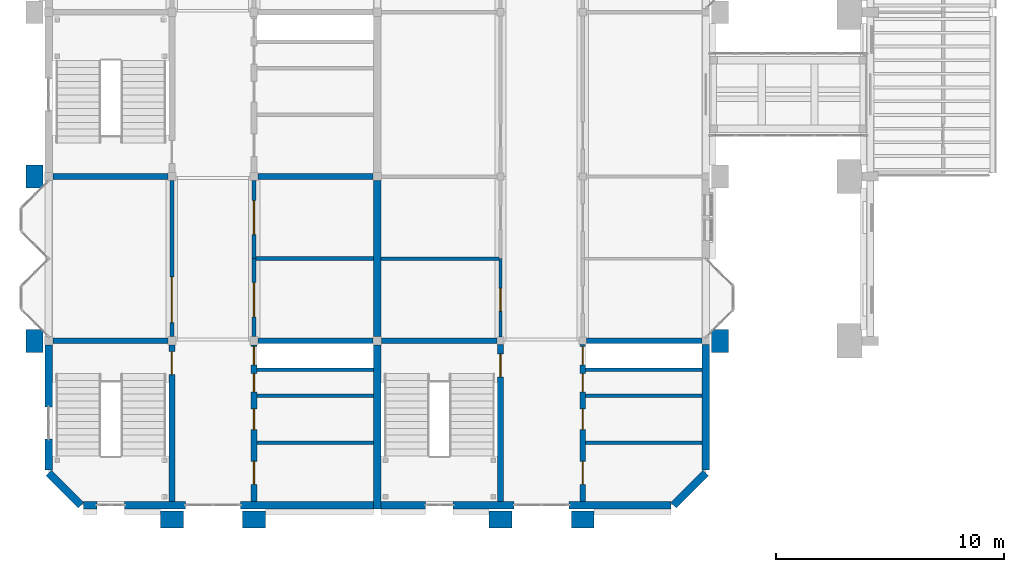
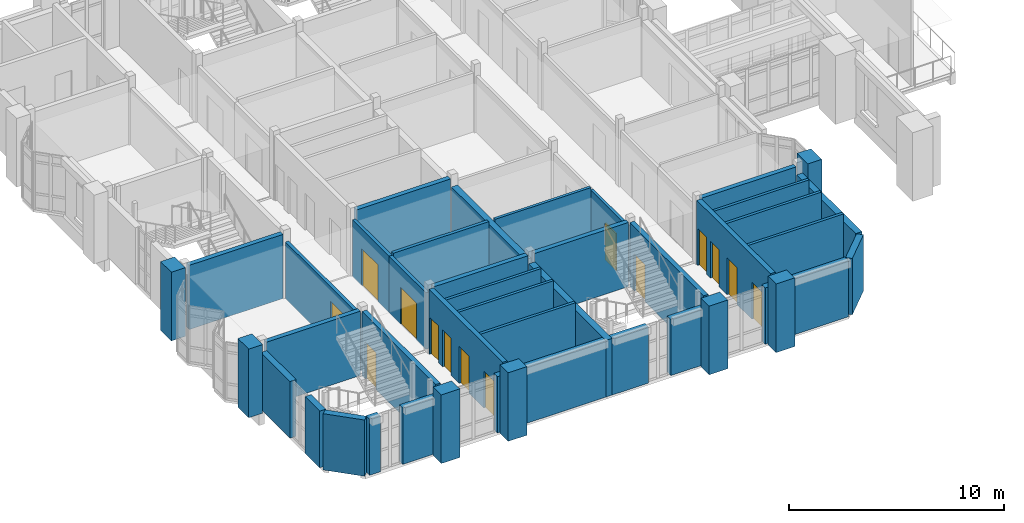
# One storey, part 39 of 69: 42 walls, 14 doors, 14 openings.
"""IFC4 building model written with IfcOpenShell, lengths in metres."""

from ifc_helpers import new_model, si_unit, direction, frame, frame_2d, origin, place, context, subcontext, project, spatial, rectangle, extrude, material, layer, layer_set, type_object, element, fill, save


model = new_model("IFC4")

# Units and contexts
model_context = context("Model", 3, precision=1e-05, world=origin(), true_north=direction((0.0, 1.0)))
body_context = subcontext(model_context, "Body", "Model", "MODEL_VIEW")
ifc_project = project(units=[si_unit("LENGTHUNIT", "METRE"), si_unit("AREAUNIT", "SQUARE_METRE"), si_unit("VOLUMEUNIT", "CUBIC_METRE"), si_unit("PLANEANGLEUNIT", "RADIAN"), si_unit("MASSUNIT", "GRAM", prefix="KILO")], contexts=[model_context])

# Site, building, storey
site_placement = place(None, origin())
site = spatial("IfcSite", under=ifc_project, at=site_placement, CompositionType="ELEMENT")
building_placement = place(site_placement, origin())
building = spatial("IfcBuilding", under=site, at=building_placement, Name="Mazhai Court Health Centre", CompositionType="ELEMENT")
storey_placement = place(building_placement, frame((0.0, 0.0, 6.300048828125)))
storey = spatial("IfcBuildingStorey", under=building, at=storey_placement, Name="L01", CompositionType="ELEMENT", Elevation=6.300048828125)

# Walls
ifc_material_1 = material(Name="Clay brick masonry", Category="masonry")
ifc_layer_1 = layer(ifc_material_1, 0.75)
ifc_layer_set_1 = layer_set([ifc_layer_1], Name="BRICK PIER 750")
wall_type_1 = type_object("IfcWallType", Name="BRICK PIER 750", PredefinedType="SOLIDWALL", material=ifc_layer_set_1)
for number, where, z_axis, x_axis, name in (
    (1, (5.574951171875, 12.89990234375, 0.0), (0.0, 0.0, 1.0), (0.0, 1.0, 0.0), "EP-V2-L01-A1"),
    (2, (5.574951171875, 20.10009765625, 0.0), (0.0, 0.0, 1.0), (0.0, 1.0, 0.0), "EP-V2-L01-A2"),
    (3, (12.10009765625, 5.574951171875, 0.0), (0.0, 0.0, 1.0), (-1.0, 0.0, 0.0), "EP-V2-L01-S54"),
    (4, (15.699951171875, 5.574951171875, 0.0), (0.0, 0.0, 1.0), (-1.0, 0.0, 0.0), "EP-V2-L01-S90"),
    (5, (35.625, 13.89990234375, 0.0), (0.0, 0.0, 1.0), (0.0, -1.0, 0.0), "EP-V5-L01-B1"),
    (6, (26.5, 5.574951171875, 0.0), (0.0, 0.0, 1.0), (-1.0, 0.0, 0.0), "EP-V5-L01-S54"),
    (7, (30.10009765625, 5.574951171875, 0.0), (0.0, 0.0, 1.0), (-1.0, 0.0, 0.0), "EP-V5-L01-S90"),
):
    element("IfcWall", number, at=place(storey_placement, frame(where, z_axis=z_axis, x_axis=x_axis)), inside=storey, type_object=wall_type_1, Name=name, PredefinedType="SOLIDWALL", context=body_context, shape_type="SweptSolid", body=[
        extrude(rectangle(XDim=1.0, YDim=0.75, at=frame_2d((0.5, 0.0))), origin(), (0.0, 0.0, 1.0), 3.89990234375),
    ])
ifc_material_2 = material(Name="Clay brick masonry", Category="masonry")
ifc_layer_2 = layer(ifc_material_2, 0.330078125)
ifc_layer_set_2 = layer_set([ifc_layer_2], Name="BRICK WALL 330 EXTERNAL")
wall_type_2 = type_object("IfcWallType", Name="BRICK WALL 330 EXTERNAL", PredefinedType="SOLIDWALL", material=ifc_layer_set_2)
wall_1_placement = place(storey_placement, frame((6.199951171875, 7.73095703125, 0.0), z_axis=(0.0, 0.0, 1.0), x_axis=(0.0, 1.0, 0.0)))
element("IfcWall", 8, at=wall_1_placement, inside=storey, type_object=wall_type_2, Name="EW-V2-L01-A0a", PredefinedType="SOLIDWALL", context=body_context, shape_type="SweptSolid", body=[
    extrude(rectangle(XDim=1.369140625, YDim=0.330078125, at=frame_2d((0.6845703125, 0.0))), origin(), (0.0, 0.0, 1.0), 3.219970703125),
])
wall_2_placement = place(storey_placement, frame((6.199951171875, 10.5, 0.0), z_axis=(0.0, 0.0, 1.0), x_axis=(0.0, 1.0, 0.0)))
element("IfcWall", 9, at=wall_2_placement, inside=storey, type_object=wall_type_2, Name="EW-V2-L01-A0b", PredefinedType="SOLIDWALL", context=body_context, shape_type="SweptSolid", body=[
    extrude(rectangle(XDim=2.719970703125, YDim=0.330078125, at=frame_2d((1.35986328125, 0.0))), origin(), (0.0, 0.0, 1.0), 3.219970703125),
])
wall_3_placement = place(storey_placement, frame((8.320068359375, 6.199951171875, 0.0), z_axis=(0.0, 0.0, 1.0), x_axis=(-1.0, 0.0, 0.0)))
element("IfcWall", 10, at=wall_3_placement, inside=storey, type_object=wall_type_2, Name="EW-V2-L01-Sp0", PredefinedType="SOLIDWALL", context=body_context, shape_type="SweptSolid", body=[
    extrude(rectangle(XDim=0.589111328125, YDim=0.330078125, at=frame_2d((0.29443359375, 0.0))), origin(), (0.0, 0.0, 1.0), 3.199951171875),
])
wall_4_placement = place(storey_placement, frame((12.199951171875, 6.199951171875, 0.0), z_axis=(0.0, 0.0, 1.0), x_axis=(-1.0, 0.0, 0.0)))
element("IfcWall", 11, at=wall_4_placement, inside=storey, type_object=wall_type_2, Name="EW-V2-L01-Sp1", PredefinedType="SOLIDWALL", context=body_context, shape_type="SweptSolid", body=[
    extrude(rectangle(XDim=2.679931640625, YDim=0.330078125, at=frame_2d((1.33984375, 0.0))), origin(), (0.0, 0.0, 1.0), 3.199951171875),
])
wall_5_placement = place(storey_placement, frame((20.43505859375, 6.199951171875, 0.0), z_axis=(0.0, 0.0, 1.0), x_axis=(-1.0, 0.0, 0.0)))
element("IfcWall", 12, at=wall_5_placement, inside=storey, type_object=wall_type_2, Name="EW-V2-L01-Sp2", PredefinedType="SOLIDWALL", context=body_context, shape_type="SweptSolid", body=[
    extrude(rectangle(XDim=5.8349609375, YDim=0.330078125, at=frame_2d((2.91748046875, 0.0))), origin(), (0.0, 0.0, 1.0), 3.199951171875),
])
wall_6_placement = place(storey_placement, frame((6.199951171875, 7.614013671875, 0.0), z_axis=(0.0, 0.0, 1.0), x_axis=(0.707106781187, -0.707106781187, 0.0)))
element("IfcWall", 13, at=wall_6_placement, inside=storey, type_object=wall_type_2, Name="EW-V2-L01-CHA", PredefinedType="SOLIDWALL", context=body_context, shape_type="SweptSolid", body=[
    extrude(rectangle(XDim=1.999755859375, YDim=0.330078125, at=frame_2d((1.0, 0.0))), origin(), (0.0, 0.0, 1.0), 3.199951171875),
])
wall_7_placement = place(storey_placement, frame((35.0, 13.239990234375, 0.0), z_axis=(0.0, 0.0, 1.0), x_axis=(0.0, -1.0, 0.0)))
element("IfcWall", 14, at=wall_7_placement, inside=storey, type_object=wall_type_2, Name="EW-V5-L01-B0", PredefinedType="SOLIDWALL", context=body_context, shape_type="SweptSolid", body=[
    extrude(rectangle(XDim=5.509033203125, YDim=0.330078125, at=frame_2d((2.75439453125, 0.0))), origin(), (0.0, 0.0, 1.0), 3.219970703125),
])
wall_8_placement = place(storey_placement, frame((22.719970703125, 6.199951171875, 0.0), z_axis=(0.0, 0.0, 1.0), x_axis=(-1.0, 0.0, 0.0)))
element("IfcWall", 15, at=wall_8_placement, inside=storey, type_object=wall_type_2, Name="EW-V5-L01-Sp0", PredefinedType="SOLIDWALL", context=body_context, shape_type="SweptSolid", body=[
    extrude(rectangle(XDim=1.955078125, YDim=0.330078125, at=frame_2d((0.9775390625, 0.0))), origin(), (0.0, 0.0, 1.0), 3.199951171875),
])
wall_9_placement = place(storey_placement, frame((26.60009765625, 6.199951171875, 0.0), z_axis=(0.0, 0.0, 1.0), x_axis=(-1.0, 0.0, 0.0)))
element("IfcWall", 16, at=wall_9_placement, inside=storey, type_object=wall_type_2, Name="EW-V5-L01-Sp1", PredefinedType="SOLIDWALL", context=body_context, shape_type="SweptSolid", body=[
    extrude(rectangle(XDim=2.68017578125, YDim=0.330078125, at=frame_2d((1.340087890625, 0.0))), origin(), (0.0, 0.0, 1.0), 3.199951171875),
])
wall_10_placement = place(storey_placement, frame((33.468994140625, 6.199951171875, 0.0), z_axis=(0.0, 0.0, 1.0), x_axis=(-1.0, 0.0, 0.0)))
element("IfcWall", 17, at=wall_10_placement, inside=storey, type_object=wall_type_2, Name="EW-V5-L01-Sp2", PredefinedType="SOLIDWALL", context=body_context, shape_type="SweptSolid", body=[
    extrude(rectangle(XDim=4.468994140625, YDim=0.330078125, at=frame_2d((2.234375, 0.0))), origin(), (0.0, 0.0, 1.0), 3.199951171875),
])
wall_11_placement = place(storey_placement, frame((35.0, 7.614013671875, 0.0), z_axis=(0.0, 0.0, 1.0), x_axis=(-0.707106781187, -0.707106781187, 0.0)))
element("IfcWall", 18, at=wall_11_placement, inside=storey, type_object=wall_type_2, Name="EW-V5-L01-CHB", PredefinedType="SOLIDWALL", context=body_context, shape_type="SweptSolid", body=[
    extrude(rectangle(XDim=1.999755859375, YDim=0.330078125, at=frame_2d((1.0, 0.0))), origin(), (0.0, 0.0, 1.0), 3.199951171875),
])
ifc_material_3 = material(Name="Clay brick masonry", Category="masonry")
ifc_layer_3 = layer(ifc_material_3, 0.330078125)
ifc_layer_set_3 = layer_set([ifc_layer_3], Name="BRICK WALL 330 INTERNAL")
wall_type_3 = type_object("IfcWallType", Name="BRICK WALL 330 INTERNAL", PredefinedType="SOLIDWALL", material=ifc_layer_set_3)
wall_12_placement = place(storey_placement, frame((20.60009765625, 13.219970703125, 0.0), z_axis=(0.0, 0.0, 1.0), x_axis=(0.0, -1.0, 0.0)))
element("IfcWall", 19, at=wall_12_placement, inside=storey, type_object=wall_type_3, Name="EW-V2-L01-B0", PredefinedType="SOLIDWALL", context=body_context, shape_type="SweptSolid", body=[
    extrude(rectangle(XDim=7.18505859375, YDim=0.330078125, at=frame_2d((3.592529296875, 0.0))), origin(), (0.0, 0.0, 1.0), 3.219970703125),
])
wall_13_placement = place(storey_placement, frame((20.60009765625, 20.419921875, 0.0), z_axis=(0.0, 0.0, 1.0), x_axis=(0.0, -1.0, 0.0)))
element("IfcWall", 20, at=wall_13_placement, inside=storey, type_object=wall_type_3, Name="EW-V2-L01-B1", PredefinedType="SOLIDWALL", context=body_context, shape_type="SweptSolid", body=[
    extrude(rectangle(XDim=6.83984375, YDim=0.330078125, at=frame_2d((3.419921875, 0.0))), origin(), (0.0, 0.0, 1.0), 3.219970703125),
])

# Wall, opening, door
ifc_material_4 = material(Name="Gypsum plasterboard partition")
ifc_layer_4 = layer(ifc_material_4, 0.14990234375)
ifc_layer_set_4 = layer_set([ifc_layer_4], Name="PARTITION 150 CORRIDOR EI60")
wall_type_4 = type_object("IfcWallType", Name="PARTITION 150 CORRIDOR EI60", PredefinedType="PARTITIONING", material=ifc_layer_set_4)
wall_14_placement = place(storey_placement, frame((26.0, 13.56005859375, 0.0), z_axis=(0.0, 0.0, 1.0), x_axis=(0.0, 1.0, 0.0)))
wall_14 = element("IfcWall", 21, at=wall_14_placement, inside=storey, type_object=wall_type_4, Name="wall-V5-L01-A0-corr-0a", PredefinedType="PARTITIONING", context=body_context, shape_type="SweptSolid", body=[
    extrude(rectangle(XDim=3.43994140625, YDim=0.14990234375, at=frame_2d((1.719970703125, 0.0))), origin(), (0.0, 0.0, 1.0), 3.219970703125),
])
opening_1_placement = place(wall_14_placement, frame((1.139892578125, 0.0, 0.0)))
opening_1 = element("IfcOpeningElement", 22, at=opening_1_placement, cuts=wall_14, Name="Opening D-L01-020", PredefinedType="OPENING", context=body_context, shape_type="SweptSolid", body=[
    extrude(rectangle(XDim=1.0, YDim=2.10009765625, at=frame_2d((0.5, 1.050048828125))), frame((0.0, 0.0849609375, 0.0), z_axis=(0.0, -1.0, 0.0), x_axis=(1.0, 0.0, 0.0)), (0.0, 0.0, 1.0), 0.169921875),
])
ifc_material_5 = material(Name="Hardwood door leaf", Category="wood")
door_type_1 = type_object("IfcDoorType", Name="DOOR 1000x2100 FD30S SINGLE", OperationType="NOTDEFINED", PredefinedType="DOOR", material=ifc_material_5)
door_1_placement = place(opening_1_placement, origin())
door_1 = element("IfcDoor", 23, at=door_1_placement, inside=storey, type_object=door_type_1, Name="door-V5-L01-A0-phlebotomy-room", OperationType="SINGLE_SWING_LEFT", OverallHeight=2.10009765625, OverallWidth=1.0, PredefinedType="DOOR", context=body_context, shape_type="SweptSolid", body=[
    extrude(rectangle(XDim=1.0, YDim=2.10009765625, at=frame_2d((0.5, 1.050048828125))), frame((0.0, 0.02490234375, 0.0), z_axis=(0.0, -1.0, 0.0), x_axis=(1.0, 0.0, 0.0)), (0.0, 0.0, 1.0), 0.050048828125),
])
fill(opening_1, door_1)

# Wall
ifc_material_6 = material(Name="Gypsum plasterboard partition")
ifc_layer_5 = layer(ifc_material_6, 0.14990234375)
ifc_layer_set_5 = layer_set([ifc_layer_5], Name="PARTITION 150 WET AREA EI30")
wall_type_5 = type_object("IfcWallType", Name="PARTITION 150 WET AREA EI30", PredefinedType="PARTITIONING", material=ifc_layer_set_5)
wall_15_placement = place(storey_placement, frame((20.764892578125, 17.0, 0.0), z_axis=(0.0, 0.0, 1.0), x_axis=(1.0, 0.0, 0.0)))
element("IfcWall", 24, at=wall_15_placement, inside=storey, type_object=wall_type_5, Name="wall-V5-L01-A0-cross-1a", PredefinedType="PARTITIONING", context=body_context, shape_type="SweptSolid", body=[
    extrude(rectangle(XDim=5.16015625, YDim=0.14990234375, at=frame_2d((2.580078125, 0.0))), origin(), (0.0, 0.0, 1.0), 3.3798828125),
])

# Wall, opening, door
ifc_material_7 = material(Name="Gypsum plasterboard partition")
ifc_layer_6 = layer(ifc_material_7, 0.175048828125)
ifc_layer_set_6 = layer_set([ifc_layer_6], Name="PARTITION 175 FIRE EI60")
wall_type_6 = type_object("IfcWallType", Name="PARTITION 175 FIRE EI60", PredefinedType="PARTITIONING", material=ifc_layer_set_6)
wall_16_placement = place(storey_placement, frame((11.60009765625, 13.580078125, 0.0), z_axis=(0.0, 0.0, 1.0), x_axis=(0.0, 1.0, 0.0)))
wall_16 = element("IfcWall", 25, at=wall_16_placement, inside=storey, type_object=wall_type_6, Name="wall-V2-L01-A0-corr-0a", PredefinedType="PARTITIONING", context=body_context, shape_type="SweptSolid", body=[
    extrude(rectangle(XDim=6.83984375, YDim=0.175048828125, at=frame_2d((3.419921875, 0.0))), origin(), (0.0, 0.0, 1.0), 3.219970703125),
])
opening_2_placement = place(wall_16_placement, frame((0.6201171875, 0.0, 0.0)))
opening_2 = element("IfcOpeningElement", 26, at=opening_2_placement, cuts=wall_16, Name="Opening D-L01-002", PredefinedType="OPENING", context=body_context, shape_type="SweptSolid", body=[
    extrude(rectangle(XDim=2.0, YDim=2.39990234375, at=frame_2d((1.0, 1.199951171875))), frame((0.0, 0.097412109375, 0.0), z_axis=(0.0, -1.0, 0.0), x_axis=(1.0, 0.0, 0.0)), (0.0, 0.0, 1.0), 0.195068359375),
])
ifc_material_8 = material(Name="Hardwood door leaf", Category="wood")
door_type_2 = type_object("IfcDoorType", Name="DOOR 2000x2400 FD60 THEATRE DOUBLE", OperationType="NOTDEFINED", PredefinedType="DOOR", material=ifc_material_8)
door_2_placement = place(opening_2_placement, origin())
door_2 = element("IfcDoor", 27, at=door_2_placement, inside=storey, type_object=door_type_2, Name="door-V2-L01-A0-operating-theatre-1", OperationType="DOUBLE_DOOR_SINGLE_SWING", OverallHeight=2.39990234375, OverallWidth=2.0, PredefinedType="DOOR", context=body_context, shape_type="SweptSolid", body=[
    extrude(rectangle(XDim=2.0, YDim=2.39990234375, at=frame_2d((1.0, 1.199951171875))), frame((0.0, 0.02490234375, 0.0), z_axis=(0.0, -1.0, 0.0), x_axis=(1.0, 0.0, 0.0)), (0.0, 0.0, 1.0), 0.050048828125),
])
fill(opening_2, door_2)

wall_17_placement = place(storey_placement, frame((15.199951171875, 17.0, 0.0), z_axis=(0.0, 0.0, 1.0), x_axis=(0.0, -1.0, 0.0)))
wall_17 = element("IfcWall", 28, at=wall_17_placement, inside=storey, type_object=wall_type_6, Name="wall-V2-L01-B0-corr-0a", PredefinedType="PARTITIONING", context=body_context, shape_type="SweptSolid", body=[
    extrude(rectangle(XDim=3.419921875, YDim=0.175048828125, at=frame_2d((1.7099609375, 0.0))), origin(), (0.0, 0.0, 1.0), 3.219970703125),
])
opening_3_placement = place(wall_17_placement, frame((1.050048828125, 0.0, 0.0)))
opening_3 = element("IfcOpeningElement", 29, at=opening_3_placement, cuts=wall_17, Name="Opening D-L01-010", PredefinedType="OPENING", context=body_context, shape_type="SweptSolid", body=[
    extrude(rectangle(XDim=1.5, YDim=2.10009765625, at=frame_2d((0.75, 1.050048828125))), frame((0.0, 0.097412109375, 0.0), z_axis=(0.0, -1.0, 0.0), x_axis=(1.0, 0.0, 0.0)), (0.0, 0.0, 1.0), 0.195068359375),
])
ifc_material_9 = material(Name="Hardwood door leaf", Category="wood")
door_type_3 = type_object("IfcDoorType", Name="DOOR 1500x2100 FD60 DOUBLE", OperationType="NOTDEFINED", PredefinedType="DOOR", material=ifc_material_9)
door_3_placement = place(opening_3_placement, origin())
door_3 = element("IfcDoor", 30, at=door_3_placement, inside=storey, type_object=door_type_3, Name="door-V2-L01-B0-anaesthetic-room-1", OperationType="DOUBLE_DOOR_SINGLE_SWING", OverallHeight=2.10009765625, OverallWidth=1.5, PredefinedType="DOOR", context=body_context, shape_type="SweptSolid", body=[
    extrude(rectangle(XDim=1.5, YDim=2.10009765625, at=frame_2d((0.75, 1.050048828125))), frame((0.0, 0.02490234375, 0.0), z_axis=(0.0, -1.0, 0.0), x_axis=(1.0, 0.0, 0.0)), (0.0, 0.0, 1.0), 0.050048828125),
])
fill(opening_3, door_3)

wall_18_placement = place(storey_placement, frame((15.199951171875, 20.419921875, 0.0), z_axis=(0.0, 0.0, 1.0), x_axis=(0.0, -1.0, 0.0)))
wall_18 = element("IfcWall", 31, at=wall_18_placement, inside=storey, type_object=wall_type_6, Name="wall-V2-L01-B0-corr-1a", PredefinedType="PARTITIONING", context=body_context, shape_type="SweptSolid", body=[
    extrude(rectangle(XDim=3.419921875, YDim=0.175048828125, at=frame_2d((1.7099609375, 0.0))), origin(), (0.0, 0.0, 1.0), 3.219970703125),
])
opening_4_placement = place(wall_18_placement, frame((0.8701171875, 0.0, 0.0)))
opening_4 = element("IfcOpeningElement", 32, at=opening_4_placement, cuts=wall_18, Name="Opening D-L01-011", PredefinedType="OPENING", context=body_context, shape_type="SweptSolid", body=[
    extrude(rectangle(XDim=1.5, YDim=2.10009765625, at=frame_2d((0.75, 1.050048828125))), frame((0.0, 0.097412109375, 0.0), z_axis=(0.0, -1.0, 0.0), x_axis=(1.0, 0.0, 0.0)), (0.0, 0.0, 1.0), 0.195068359375),
])
door_4_placement = place(opening_4_placement, origin())
door_4 = element("IfcDoor", 33, at=door_4_placement, inside=storey, type_object=door_type_3, Name="door-V2-L01-B0-scrub-and-prep-room", OperationType="DOUBLE_DOOR_SINGLE_SWING", OverallHeight=2.10009765625, OverallWidth=1.5, PredefinedType="DOOR", context=body_context, shape_type="SweptSolid", body=[
    extrude(rectangle(XDim=1.5, YDim=2.10009765625, at=frame_2d((0.75, 1.050048828125))), frame((0.0, 0.02490234375, 0.0), z_axis=(0.0, -1.0, 0.0), x_axis=(1.0, 0.0, 0.0)), (0.0, 0.0, 1.0), 0.050048828125),
])
fill(opening_4, door_4)

# Wall
wall_19_placement = place(storey_placement, frame((20.43505859375, 17.0, 0.0), z_axis=(0.0, 0.0, 1.0), x_axis=(-1.0, 0.0, 0.0)))
element("IfcWall", 34, at=wall_19_placement, inside=storey, type_object=wall_type_6, Name="wall-V2-L01-B0-cross-1a", PredefinedType="PARTITIONING", context=body_context, shape_type="SweptSolid", body=[
    extrude(rectangle(XDim=5.1474609375, YDim=0.175048828125, at=frame_2d((2.57373046875, 0.0))), origin(), (0.0, 0.0, 1.0), 3.3798828125),
])

# Wall, opening, door
ifc_material_10 = material(Name="Concrete M40", Category="concrete")
ifc_layer_7 = layer(ifc_material_10, 0.25)
ifc_layer_set_7 = layer_set([ifc_layer_7], Name="RC CORE WALL 250 M40")
wall_type_7 = type_object("IfcWallType", Name="RC CORE WALL 250 M40", PredefinedType="SHEAR", material=ifc_layer_set_7)
wall_20_placement = place(storey_placement, frame((11.60009765625, 6.364990234375, 0.0), z_axis=(0.0, 0.0, 1.0), x_axis=(0.0, 1.0, 0.0)))
wall_20 = element("IfcWall", 35, at=wall_20_placement, inside=storey, type_object=wall_type_7, Name="core-C1-w-stair-corr-L01", PredefinedType="SHEAR", context=body_context, shape_type="SweptSolid", body=[
    extrude(rectangle(XDim=6.85498046875, YDim=0.25, at=frame_2d((3.427490234375, 0.0))), origin(), (0.0, 0.0, 1.0), 3.64990234375),
])
opening_5_placement = place(wall_20_placement, frame((5.56005859375, 0.0, 0.0)))
opening_5 = element("IfcOpeningElement", 36, at=opening_5_placement, cuts=wall_20, Name="Opening D-L01-001", PredefinedType="OPENING", context=body_context, shape_type="SweptSolid", body=[
    extrude(rectangle(XDim=1.0, YDim=2.10009765625, at=frame_2d((0.5, 1.050048828125))), frame((0.0, 0.135009765625, 0.0), z_axis=(0.0, -1.0, 0.0), x_axis=(1.0, 0.0, 0.0)), (0.0, 0.0, 1.0), 0.27001953125),
])
ifc_material_11 = material(Name="Steel fire door leaf", Category="steel")
door_type_4 = type_object("IfcDoorType", Name="FD120S STAIR DOOR 1000x2100", OperationType="SINGLE_SWING_LEFT", PredefinedType="DOOR", material=ifc_material_11)
door_5_placement = place(opening_5_placement, origin())
door_5 = element("IfcDoor", 37, at=door_5_placement, inside=storey, type_object=door_type_4, Name="Stair 1 door L01", OperationType="SINGLE_SWING_LEFT", OverallHeight=2.10009765625, OverallWidth=1.0, PredefinedType="DOOR", context=body_context, shape_type="SweptSolid", body=[
    extrude(rectangle(XDim=1.0, YDim=2.10009765625, at=frame_2d((0.5, 1.050048828125))), frame((0.0, 0.02490234375, 0.0), z_axis=(0.0, -1.0, 0.0), x_axis=(1.0, 0.0, 0.0)), (0.0, 0.0, 1.0), 0.050048828125),
])
fill(opening_5, door_5)

# Wall
wall_21_placement = place(storey_placement, frame((6.3798828125, 13.39990234375, 0.0), z_axis=(0.0, 0.0, 1.0), x_axis=(1.0, 0.0, 0.0)))
element("IfcWall", 38, at=wall_21_placement, inside=storey, type_object=wall_type_7, Name="core-C1-w-stair-line0-L01", PredefinedType="SHEAR", context=body_context, shape_type="SweptSolid", body=[
    extrude(rectangle(XDim=5.0400390625, YDim=0.25, at=frame_2d((2.52001953125, 0.0))), origin(), (0.0, 0.0, 1.0), 3.64990234375),
])

# Wall, openings, doors
wall_22_placement = place(storey_placement, frame((15.199951171875, 6.364990234375, 0.0), z_axis=(0.0, 0.0, 1.0), x_axis=(0.0, 1.0, 0.0)))
wall_22 = element("IfcWall", 39, at=wall_22_placement, inside=storey, type_object=wall_type_7, Name="core-C1-w-other-corr-L01", PredefinedType="SHEAR", context=body_context, shape_type="SweptSolid", body=[
    extrude(rectangle(XDim=6.85498046875, YDim=0.25, at=frame_2d((3.427490234375, 0.0))), origin(), (0.0, 0.0, 1.0), 3.64990234375),
])
opening_6_placement = place(wall_22_placement, frame((0.75, 0.0, 0.0)))
opening_6 = element("IfcOpeningElement", 40, at=opening_6_placement, cuts=wall_22, Name="Opening D-L01-006", PredefinedType="OPENING", context=body_context, shape_type="SweptSolid", body=[
    extrude(rectangle(XDim=1.0, YDim=2.10009765625, at=frame_2d((0.5, 1.050048828125))), frame((0.0, 0.135009765625, 0.0), z_axis=(0.0, -1.0, 0.0), x_axis=(1.0, 0.0, 0.0)), (0.0, 0.0, 1.0), 0.27001953125),
])
opening_7_placement = place(wall_22_placement, frame((3.14990234375, 0.0, 0.0)))
opening_7 = element("IfcOpeningElement", 41, at=opening_7_placement, cuts=wall_22, Name="Opening D-L01-007", PredefinedType="OPENING", context=body_context, shape_type="SweptSolid", body=[
    extrude(rectangle(XDim=0.89990234375, YDim=2.10009765625, at=frame_2d((0.449951171875, 1.050048828125))), frame((0.0, 0.135009765625, 0.0), z_axis=(0.0, -1.0, 0.0), x_axis=(1.0, 0.0, 0.0)), (0.0, 0.0, 1.0), 0.27001953125),
])
opening_8_placement = place(wall_22_placement, frame((4.800048828125, 0.0, 0.0)))
opening_8 = element("IfcOpeningElement", 42, at=opening_8_placement, cuts=wall_22, Name="Opening D-L01-008", PredefinedType="OPENING", context=body_context, shape_type="SweptSolid", body=[
    extrude(rectangle(XDim=0.800048828125, YDim=2.10009765625, at=frame_2d((0.39990234375, 1.050048828125))), frame((0.0, 0.135009765625, 0.0), z_axis=(0.0, -1.0, 0.0), x_axis=(1.0, 0.0, 0.0)), (0.0, 0.0, 1.0), 0.27001953125),
])
opening_9_placement = place(wall_22_placement, frame((5.97998046875, 0.0, 0.0)))
opening_9 = element("IfcOpeningElement", 43, at=opening_9_placement, cuts=wall_22, Name="Opening D-L01-009", PredefinedType="OPENING", context=body_context, shape_type="SweptSolid", body=[
    extrude(rectangle(XDim=0.800048828125, YDim=2.10009765625, at=frame_2d((0.39990234375, 1.050048828125))), frame((0.0, 0.135009765625, 0.0), z_axis=(0.0, -1.0, 0.0), x_axis=(1.0, 0.0, 0.0)), (0.0, 0.0, 1.0), 0.27001953125),
])
ifc_material_12 = material(Name="Timber door leaf", Category="wood")
door_type_5 = type_object("IfcDoorType", Name="ACCESSIBLE WC DOOR 1000x2100", OperationType="SINGLE_SWING_RIGHT", PredefinedType="DOOR", material=ifc_material_12)
door_6_placement = place(opening_6_placement, origin())
door_6 = element("IfcDoor", 44, at=door_6_placement, inside=storey, type_object=door_type_5, Name="Accessible WC door L01", OperationType="SINGLE_SWING_LEFT", OverallHeight=2.10009765625, OverallWidth=1.0, PredefinedType="DOOR", context=body_context, shape_type="SweptSolid", body=[
    extrude(rectangle(XDim=1.0, YDim=2.10009765625, at=frame_2d((0.5, 1.050048828125))), frame((0.0, 0.02490234375, 0.0), z_axis=(0.0, -1.0, 0.0), x_axis=(1.0, 0.0, 0.0)), (0.0, 0.0, 1.0), 0.050048828125),
])
fill(opening_6, door_6)
ifc_material_13 = material(Name="Timber door leaf", Category="wood")
door_type_6 = type_object("IfcDoorType", Name="CLEANER STORE DOOR 800x2100", OperationType="SINGLE_SWING_LEFT", PredefinedType="DOOR", material=ifc_material_13)
door_7_placement = place(opening_8_placement, origin())
door_7 = element("IfcDoor", 45, at=door_7_placement, inside=storey, type_object=door_type_6, Name="Cleaner door L01", OperationType="SINGLE_SWING_LEFT", OverallHeight=2.10009765625, OverallWidth=0.800048828125, PredefinedType="DOOR", context=body_context, shape_type="SweptSolid", body=[
    extrude(rectangle(XDim=0.800048828125, YDim=2.10009765625, at=frame_2d((0.39990234375, 1.050048828125))), frame((0.0, 0.02490234375, 0.0), z_axis=(0.0, -1.0, 0.0), x_axis=(1.0, 0.0, 0.0)), (0.0, 0.0, 1.0), 0.050048828125),
])
fill(opening_8, door_7)
ifc_material_14 = material(Name="Steel fire door leaf", Category="steel")
door_type_7 = type_object("IfcDoorType", Name="FD60S RISER DOOR 800x2100", OperationType="SINGLE_SWING_LEFT", PredefinedType="DOOR", material=ifc_material_14)
door_8_placement = place(opening_9_placement, origin())
door_8 = element("IfcDoor", 46, at=door_8_placement, inside=storey, type_object=door_type_7, Name="Riser door L01", OperationType="SINGLE_SWING_LEFT", OverallHeight=2.10009765625, OverallWidth=0.800048828125, PredefinedType="DOOR", context=body_context, shape_type="SweptSolid", body=[
    extrude(rectangle(XDim=0.800048828125, YDim=2.10009765625, at=frame_2d((0.39990234375, 1.050048828125))), frame((0.0, 0.02490234375, 0.0), z_axis=(0.0, -1.0, 0.0), x_axis=(1.0, 0.0, 0.0)), (0.0, 0.0, 1.0), 0.050048828125),
])
fill(opening_9, door_8)
ifc_material_15 = material(Name="Timber door leaf", Category="wood")
door_type_8 = type_object("IfcDoorType", Name="WC DOOR 900x2100", OperationType="SINGLE_SWING_LEFT", PredefinedType="DOOR", material=ifc_material_15)
door_9_placement = place(opening_7_placement, origin())
door_9 = element("IfcDoor", 47, at=door_9_placement, inside=storey, type_object=door_type_8, Name="WC door L01", OperationType="SINGLE_SWING_LEFT", OverallHeight=2.10009765625, OverallWidth=0.89990234375, PredefinedType="DOOR", context=body_context, shape_type="SweptSolid", body=[
    extrude(rectangle(XDim=0.89990234375, YDim=2.10009765625, at=frame_2d((0.449951171875, 1.050048828125))), frame((0.0, 0.02490234375, 0.0), z_axis=(0.0, -1.0, 0.0), x_axis=(1.0, 0.0, 0.0)), (0.0, 0.0, 1.0), 0.050048828125),
])
fill(opening_7, door_9)

# Walls
for number, where, z_axis, x_axis, name in (
    (48, (15.3798828125, 13.39990234375, 0.0), (0.0, 0.0, 1.0), (1.0, 0.0, 0.0), "core-C1-w-other-line0-L01"),
    (49, (6.3798828125, 20.60009765625, 0.0), (0.0, 0.0, 1.0), (1.0, 0.0, 0.0), "core-C2-w-stair-line0-L01"),
    (50, (15.3798828125, 20.60009765625, 0.0), (0.0, 0.0, 1.0), (1.0, 0.0, 0.0), "core-C2-w-other-line0-L01"),
):
    element("IfcWall", number, at=place(storey_placement, frame(where, z_axis=z_axis, x_axis=x_axis)), inside=storey, type_object=wall_type_7, Name=name, PredefinedType="SHEAR", context=body_context, shape_type="SweptSolid", body=[
        extrude(rectangle(XDim=5.0400390625, YDim=0.25, at=frame_2d((2.52001953125, 0.0))), origin(), (0.0, 0.0, 1.0), 3.64990234375),
    ])

# Wall, opening, door
wall_23_placement = place(storey_placement, frame((26.0, 6.364990234375, 0.0), z_axis=(0.0, 0.0, 1.0), x_axis=(0.0, 1.0, 0.0)))
wall_23 = element("IfcWall", 51, at=wall_23_placement, inside=storey, type_object=wall_type_7, Name="core-C4-w-stair-corr-L01", PredefinedType="SHEAR", context=body_context, shape_type="SweptSolid", body=[
    extrude(rectangle(XDim=6.875, YDim=0.25, at=frame_2d((3.4375, 0.0))), origin(), (0.0, 0.0, 1.0), 3.64990234375),
])
opening_10_placement = place(wall_23_placement, frame((5.4599609375, 0.0, 0.0)))
opening_10 = element("IfcOpeningElement", 52, at=opening_10_placement, cuts=wall_23, Name="Opening D-L01-019", PredefinedType="OPENING", context=body_context, shape_type="SweptSolid", body=[
    extrude(rectangle(XDim=1.0, YDim=2.10009765625, at=frame_2d((0.5, 1.050048828125))), frame((0.0, 0.135009765625, 0.0), z_axis=(0.0, -1.0, 0.0), x_axis=(1.0, 0.0, 0.0)), (0.0, 0.0, 1.0), 0.27001953125),
])
door_10_placement = place(opening_10_placement, origin())
door_10 = element("IfcDoor", 53, at=door_10_placement, inside=storey, type_object=door_type_4, Name="Stair 4 door L01", OperationType="SINGLE_SWING_RIGHT", OverallHeight=2.10009765625, OverallWidth=1.0, PredefinedType="DOOR", context=body_context, shape_type="SweptSolid", body=[
    extrude(rectangle(XDim=1.0, YDim=2.10009765625, at=frame_2d((0.5, 1.050048828125))), frame((0.0, 0.02490234375, 0.0), z_axis=(0.0, -1.0, 0.0), x_axis=(1.0, 0.0, 0.0)), (0.0, 0.0, 1.0), 0.050048828125),
])
fill(opening_10, door_10)

# Wall
wall_24_placement = place(storey_placement, frame((20.780029296875, 13.39990234375, 0.0), z_axis=(0.0, 0.0, 1.0), x_axis=(1.0, 0.0, 0.0)))
element("IfcWall", 54, at=wall_24_placement, inside=storey, type_object=wall_type_7, Name="core-C4-w-stair-line0-L01", PredefinedType="SHEAR", context=body_context, shape_type="SweptSolid", body=[
    extrude(rectangle(XDim=5.06005859375, YDim=0.25, at=frame_2d((2.530029296875, 0.0))), origin(), (0.0, 0.0, 1.0), 3.64990234375),
])

# Wall, openings, doors
wall_25_placement = place(storey_placement, frame((29.60009765625, 6.364990234375, 0.0), z_axis=(0.0, 0.0, 1.0), x_axis=(0.0, 1.0, 0.0)))
wall_25 = element("IfcWall", 55, at=wall_25_placement, inside=storey, type_object=wall_type_7, Name="core-C4-w-other-corr-L01", PredefinedType="SHEAR", context=body_context, shape_type="SweptSolid", body=[
    extrude(rectangle(XDim=6.875, YDim=0.25, at=frame_2d((3.4375, 0.0))), origin(), (0.0, 0.0, 1.0), 3.64990234375),
])
opening_11_placement = place(wall_25_placement, frame((0.75, 0.0, 0.0)))
opening_11 = element("IfcOpeningElement", 56, at=opening_11_placement, cuts=wall_25, Name="Opening D-L01-026", PredefinedType="OPENING", context=body_context, shape_type="SweptSolid", body=[
    extrude(rectangle(XDim=1.0, YDim=2.10009765625, at=frame_2d((0.5, 1.050048828125))), frame((0.0, 0.135009765625, 0.0), z_axis=(0.0, -1.0, 0.0), x_axis=(1.0, 0.0, 0.0)), (0.0, 0.0, 1.0), 0.27001953125),
])
opening_12_placement = place(wall_25_placement, frame((3.14990234375, 0.0, 0.0)))
opening_12 = element("IfcOpeningElement", 57, at=opening_12_placement, cuts=wall_25, Name="Opening D-L01-027", PredefinedType="OPENING", context=body_context, shape_type="SweptSolid", body=[
    extrude(rectangle(XDim=0.89990234375, YDim=2.10009765625, at=frame_2d((0.449951171875, 1.050048828125))), frame((0.0, 0.135009765625, 0.0), z_axis=(0.0, -1.0, 0.0), x_axis=(1.0, 0.0, 0.0)), (0.0, 0.0, 1.0), 0.27001953125),
])
opening_13_placement = place(wall_25_placement, frame((4.800048828125, 0.0, 0.0)))
opening_13 = element("IfcOpeningElement", 58, at=opening_13_placement, cuts=wall_25, Name="Opening D-L01-028", PredefinedType="OPENING", context=body_context, shape_type="SweptSolid", body=[
    extrude(rectangle(XDim=0.800048828125, YDim=2.10009765625, at=frame_2d((0.39990234375, 1.050048828125))), frame((0.0, 0.135009765625, 0.0), z_axis=(0.0, -1.0, 0.0), x_axis=(1.0, 0.0, 0.0)), (0.0, 0.0, 1.0), 0.27001953125),
])
opening_14_placement = place(wall_25_placement, frame((5.97998046875, 0.0, 0.0)))
opening_14 = element("IfcOpeningElement", 59, at=opening_14_placement, cuts=wall_25, Name="Opening D-L01-029", PredefinedType="OPENING", context=body_context, shape_type="SweptSolid", body=[
    extrude(rectangle(XDim=0.800048828125, YDim=2.10009765625, at=frame_2d((0.39990234375, 1.050048828125))), frame((0.0, 0.135009765625, 0.0), z_axis=(0.0, -1.0, 0.0), x_axis=(1.0, 0.0, 0.0)), (0.0, 0.0, 1.0), 0.27001953125),
])
door_11_placement = place(opening_11_placement, origin())
door_11 = element("IfcDoor", 60, at=door_11_placement, inside=storey, type_object=door_type_5, Name="Accessible WC door L01", OperationType="SINGLE_SWING_LEFT", OverallHeight=2.10009765625, OverallWidth=1.0, PredefinedType="DOOR", context=body_context, shape_type="SweptSolid", body=[
    extrude(rectangle(XDim=1.0, YDim=2.10009765625, at=frame_2d((0.5, 1.050048828125))), frame((0.0, 0.02490234375, 0.0), z_axis=(0.0, -1.0, 0.0), x_axis=(1.0, 0.0, 0.0)), (0.0, 0.0, 1.0), 0.050048828125),
])
fill(opening_11, door_11)
door_12_placement = place(opening_13_placement, origin())
door_12 = element("IfcDoor", 61, at=door_12_placement, inside=storey, type_object=door_type_6, Name="Cleaner door L01", OperationType="SINGLE_SWING_LEFT", OverallHeight=2.10009765625, OverallWidth=0.800048828125, PredefinedType="DOOR", context=body_context, shape_type="SweptSolid", body=[
    extrude(rectangle(XDim=0.800048828125, YDim=2.10009765625, at=frame_2d((0.39990234375, 1.050048828125))), frame((0.0, 0.02490234375, 0.0), z_axis=(0.0, -1.0, 0.0), x_axis=(1.0, 0.0, 0.0)), (0.0, 0.0, 1.0), 0.050048828125),
])
fill(opening_13, door_12)
door_13_placement = place(opening_14_placement, origin())
door_13 = element("IfcDoor", 62, at=door_13_placement, inside=storey, type_object=door_type_7, Name="Riser door L01", OperationType="SINGLE_SWING_LEFT", OverallHeight=2.10009765625, OverallWidth=0.800048828125, PredefinedType="DOOR", context=body_context, shape_type="SweptSolid", body=[
    extrude(rectangle(XDim=0.800048828125, YDim=2.10009765625, at=frame_2d((0.39990234375, 1.050048828125))), frame((0.0, 0.02490234375, 0.0), z_axis=(0.0, -1.0, 0.0), x_axis=(1.0, 0.0, 0.0)), (0.0, 0.0, 1.0), 0.050048828125),
])
fill(opening_14, door_13)
door_14_placement = place(opening_12_placement, origin())
door_14 = element("IfcDoor", 63, at=door_14_placement, inside=storey, type_object=door_type_8, Name="WC door L01", OperationType="SINGLE_SWING_LEFT", OverallHeight=2.10009765625, OverallWidth=0.89990234375, PredefinedType="DOOR", context=body_context, shape_type="SweptSolid", body=[
    extrude(rectangle(XDim=0.89990234375, YDim=2.10009765625, at=frame_2d((0.449951171875, 1.050048828125))), frame((0.0, 0.02490234375, 0.0), z_axis=(0.0, -1.0, 0.0), x_axis=(1.0, 0.0, 0.0)), (0.0, 0.0, 1.0), 0.050048828125),
])
fill(opening_12, door_14)

# Walls
wall_26_placement = place(storey_placement, frame((29.760009765625, 13.39990234375, 0.0), z_axis=(0.0, 0.0, 1.0), x_axis=(1.0, 0.0, 0.0)))
element("IfcWall", 64, at=wall_26_placement, inside=storey, type_object=wall_type_7, Name="core-C4-w-other-line0-L01", PredefinedType="SHEAR", context=body_context, shape_type="SweptSolid", body=[
    extrude(rectangle(XDim=5.080078125, YDim=0.25, at=frame_2d((2.5400390625, 0.0))), origin(), (0.0, 0.0, 1.0), 3.64990234375),
])
ifc_material_16 = material(Name="Concrete M25", Category="concrete")
ifc_layer_8 = layer(ifc_material_16, 0.14990234375)
ifc_layer_set_8 = layer_set([ifc_layer_8], Name="RC SERVICE ROOM WALL 150 M25")
wall_type_8 = type_object("IfcWallType", Name="RC SERVICE ROOM WALL 150 M25", PredefinedType="PARTITIONING", material=ifc_layer_set_8)
for number, where, z_axis, x_axis, name in (
    (65, (15.324951171875, 8.93994140625, 0.0), (0.0, 0.0, 1.0), (1.0, 0.0, 0.0), "core-C1-w-room0-L01"),
    (66, (15.324951171875, 10.989990234375, 0.0), (0.0, 0.0, 1.0), (1.0, 0.0, 0.0), "core-C1-w-room1-L01"),
    (67, (15.324951171875, 12.139892578125, 0.0), (0.0, 0.0, 1.0), (1.0, 0.0, 0.0), "core-C1-w-room2-L01"),
):
    element("IfcWall", number, at=place(storey_placement, frame(where, z_axis=z_axis, x_axis=x_axis)), inside=storey, type_object=wall_type_8, Name=name, PredefinedType="PARTITIONING", context=body_context, shape_type="SweptSolid", body=[
        extrude(rectangle(XDim=5.110107421875, YDim=0.14990234375, at=frame_2d((2.55517578125, 0.0))), origin(), (0.0, 0.0, 1.0), 3.64990234375),
    ])
for number, where, z_axis, x_axis, name in (
    (68, (29.72509765625, 8.93994140625, 0.0), (0.0, 0.0, 1.0), (1.0, 0.0, 0.0), "core-C4-w-room0-L01"),
    (69, (29.72509765625, 10.989990234375, 0.0), (0.0, 0.0, 1.0), (1.0, 0.0, 0.0), "core-C4-w-room1-L01"),
    (70, (29.72509765625, 12.139892578125, 0.0), (0.0, 0.0, 1.0), (1.0, 0.0, 0.0), "core-C4-w-room2-L01"),
):
    element("IfcWall", number, at=place(storey_placement, frame(where, z_axis=z_axis, x_axis=x_axis)), inside=storey, type_object=wall_type_8, Name=name, PredefinedType="PARTITIONING", context=body_context, shape_type="SweptSolid", body=[
        extrude(rectangle(XDim=5.10986328125, YDim=0.14990234375, at=frame_2d((2.554931640625, 0.0))), origin(), (0.0, 0.0, 1.0), 3.64990234375),
    ])

save(model, "model.ifc")
